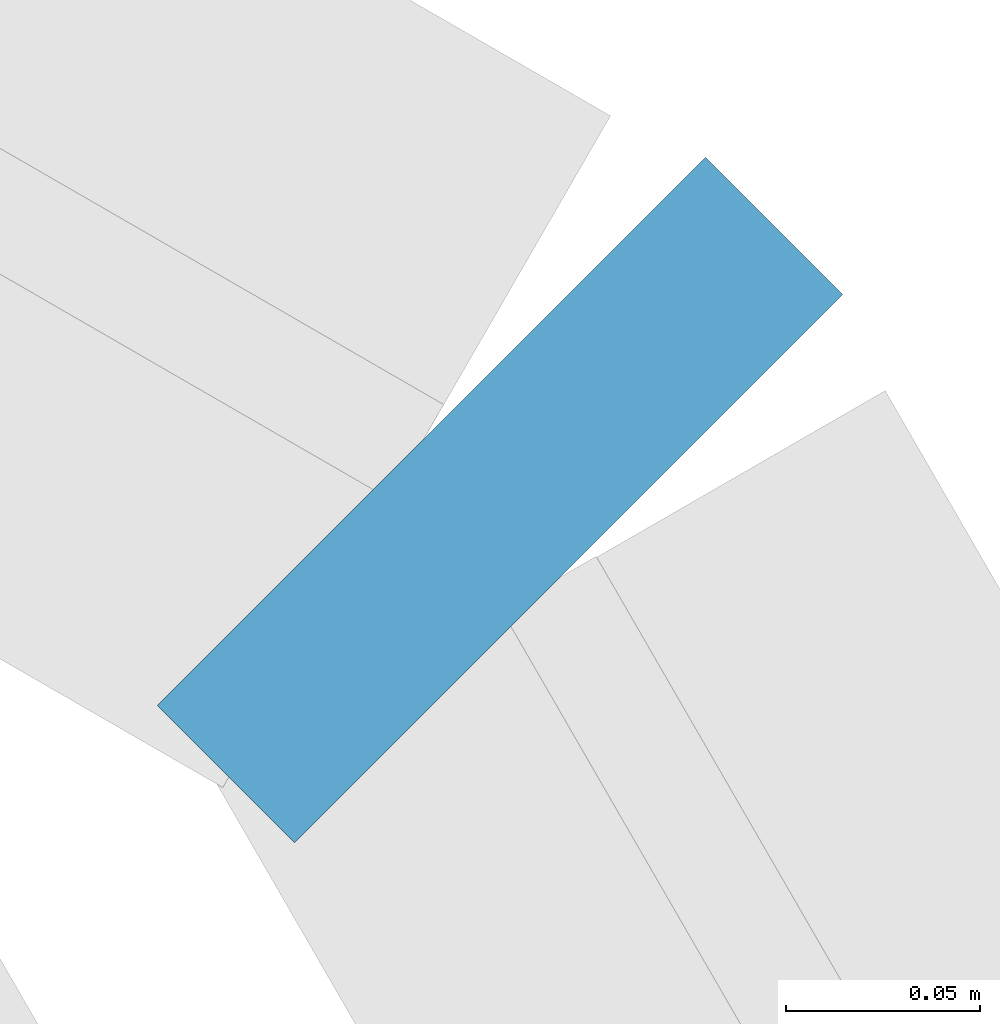
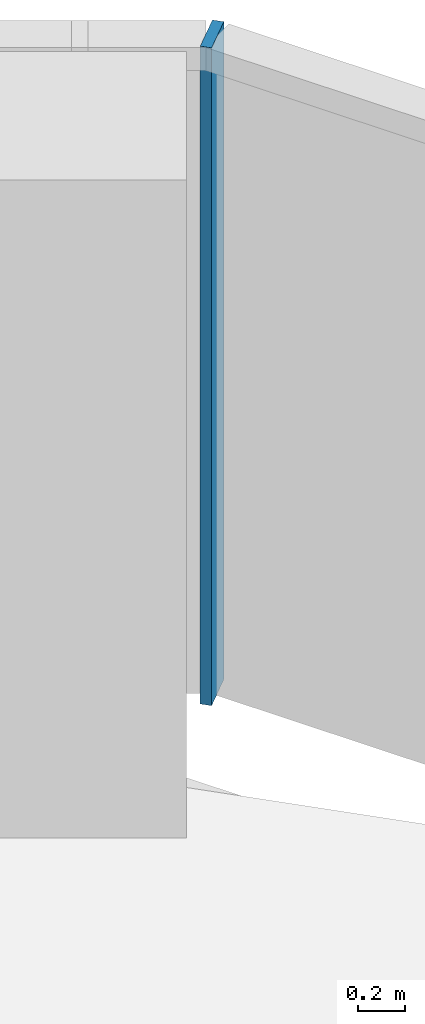
# One storey, part 7 of 19: 1 member, 1 element without a shape of its own.
"""IFC4 building model written with IfcOpenShell, lengths in metres."""

from ifc_helpers import new_model, si_unit, direction, frame, origin, origin_2d, place, context, subcontext, project, spatial, rectangle, extrude, material, layer, layer_set, material_profile, profile_set, type_object, element, aggregate, save


model = new_model("IFC4")

# Units and contexts
model_context = context("Model", 3, precision=1e-05, world=origin(), true_north=direction((0.0, 1.0)))
body_context = subcontext(model_context, "Body", "Model", "MODEL_VIEW")
ifc_project = project(units=[si_unit("LENGTHUNIT", "METRE"), si_unit("AREAUNIT", "SQUARE_METRE"), si_unit("VOLUMEUNIT", "CUBIC_METRE"), si_unit("PLANEANGLEUNIT", "RADIAN"), si_unit("MASSUNIT", "GRAM", prefix="KILO")], contexts=[model_context])

# Site, building, storey
site_placement = place(None, origin())
site = spatial("IfcSite", under=ifc_project, at=site_placement, CompositionType="ELEMENT")
building_placement = place(site_placement, origin())
building = spatial("IfcBuilding", under=site, at=building_placement, Name="Ayvan Gate Tower", CompositionType="ELEMENT")
storey_placement = place(building_placement, frame((0.0, 0.0, 156.10009765625)))
storey = spatial("IfcBuildingStorey", under=building, at=storey_placement, Name="L41", CompositionType="ELEMENT", Elevation=156.10009765625)

# Curtain wall, member
ifc_material = material(Name="Bronze anodised aluminium", Category="aluminium")
ifc_layer = layer(ifc_material, 0.199951171875)
ifc_layer_set = layer_set([ifc_layer], Name="Bronze anodised aluminium")
curtain_wall_type = type_object("IfcCurtainWallType", Name="Stick curtain wall CW-6", PredefinedType="NOTDEFINED", material=ifc_layer_set)
curtain_wall_placement = place(storey_placement, origin())
curtain_wall = element("IfcCurtainWall", 1, at=curtain_wall_placement, inside=storey, type_object=curtain_wall_type, Name="Stick curtain wall CW-6 L41", PredefinedType="NOTDEFINED")
ifc_material_profile = material_profile(ifc_material, rectangle(XDim=0.199951171875, YDim=0.050048828125, at=origin_2d()), Name="Stick curtain wall CW-6 mullion 200 x 50")
ifc_profile_set = profile_set([ifc_material_profile], Name="Bronze anodised aluminium")
member_type = type_object("IfcMemberType", Name="Stick curtain wall CW-6 mullion 200 x 50", PredefinedType="MULLION", material=ifc_profile_set)
member_placement = place(storey_placement, frame((17.494140625, 11.4951171875, 0.0), z_axis=(0.0, 0.0, 1.0), x_axis=(0.707106781187, 0.707106781187, 0.0)))
member = element("IfcMember", 2, at=member_placement, type_object=member_type, Name="CW-6 mullion 3", PredefinedType="MULLION", context=body_context, shape_type="SweptSolid", body=[
    extrude(rectangle(XDim=0.199951171875, YDim=0.050048828125, at=origin_2d()), origin(), (0.0, 0.0, 1.0), 3.39990234375),
])
aggregate(curtain_wall, [member])

save(model, "model.ifc")
